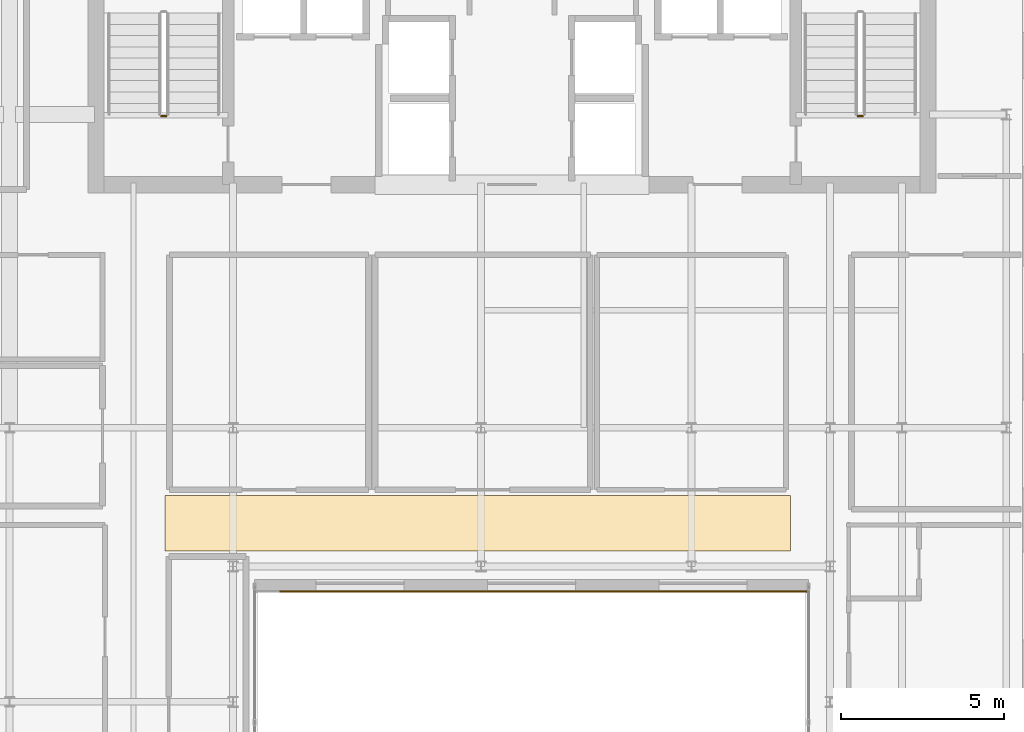
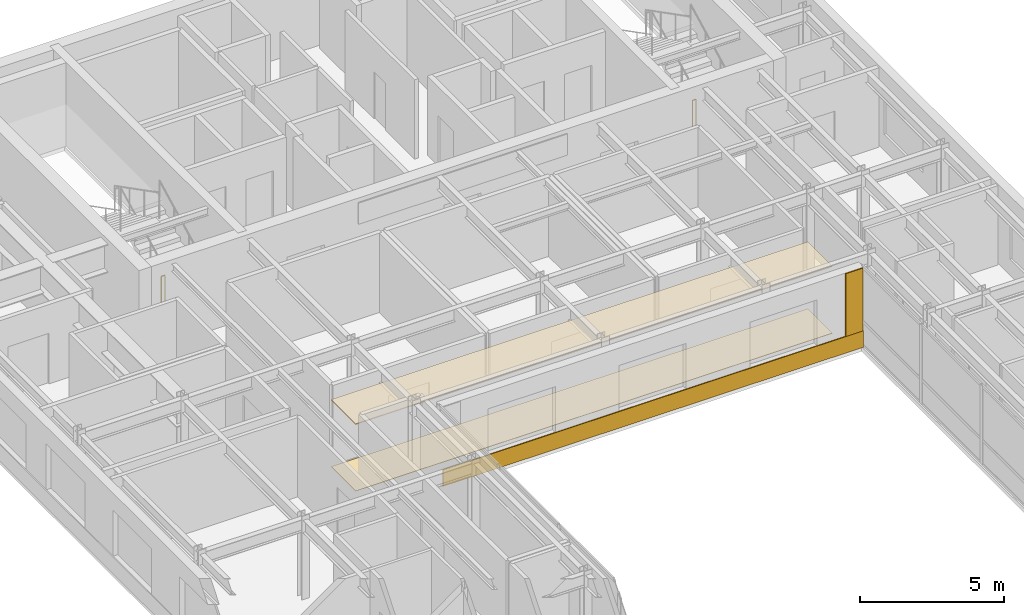
# One storey, part 19 of 21: 4 coverings, 2 railings.
"""IFC4 building model written with IfcOpenShell, lengths in metres."""

from ifc_helpers import new_model, si_unit, direction, frame, origin, origin_2d, place, context, subcontext, project, spatial, polyline, circle, outline, extrude, material, layer, layer_set, type_object, element, save


model = new_model("IFC4")

# Units and contexts
model_context = context("Model", 3, precision=1e-05, world=origin(), true_north=direction((0.0, 1.0)))
body_context = subcontext(model_context, "Body", "Model", "MODEL_VIEW")
ifc_project = project(units=[si_unit("LENGTHUNIT", "METRE"), si_unit("AREAUNIT", "SQUARE_METRE"), si_unit("VOLUMEUNIT", "CUBIC_METRE"), si_unit("PLANEANGLEUNIT", "RADIAN"), si_unit("MASSUNIT", "GRAM", prefix="KILO")], contexts=[model_context])

# Site, building, storey
site_placement = place(None, origin())
site = spatial("IfcSite", under=ifc_project, at=site_placement, CompositionType="ELEMENT")
building_placement = place(site_placement, origin())
building = spatial("IfcBuilding", under=site, at=building_placement, Name="Tolvann Quenvar Hotel", CompositionType="ELEMENT")
storey_placement = place(building_placement, frame((0.0, 0.0, 255.85009765625)))
storey = spatial("IfcBuildingStorey", under=building, at=storey_placement, Name="L68", CompositionType="ELEMENT", Elevation=255.85009765625)

# Coverings
ifc_material_1 = material(Name="Micro-perforated acoustic mineral-fibre and timber-batten suspended ceiling", Category="wood")
ifc_layer_1 = layer(ifc_material_1, 0.0400390625)
ifc_layer_set_1 = layer_set([ifc_layer_1], Name="Micro-perforated acoustic mineral-fibre and timber-batten suspended ceiling")
covering_type_1 = type_object("IfcCoveringType", Name="COV_CEIL_ACOUSTIC_40", PredefinedType="CEILING", material=ifc_layer_set_1)
covering_1_placement = place(storey_placement, frame((0.0, 0.0, 2.829833984375)))
element("IfcCovering", 1, at=covering_1_placement, inside=storey, type_object=covering_type_1, Name="Suspended Acoustic Ceiling (Wind Portal South Ring Gallery L68)", PredefinedType="CEILING", context=body_context, shape_type="SweptSolid", body=[
    extrude(outline(polyline([(12.3701171875, 20.6201171875), (31.530029296875, 20.6201171875), (31.530029296875, 22.330078125), (12.3701171875, 22.330078125), (12.3701171875, 20.6201171875)])), origin(), (0.0, 0.0, 1.0), 0.0400390625),
])
ifc_material_2 = material(Name="Kiln-fired red architectural face brick cladding", Category="masonry")
ifc_layer_2 = layer(ifc_material_2, 0.0400390625)
ifc_layer_set_2 = layer_set([ifc_layer_2], Name="Kiln-fired red architectural face brick cladding")
covering_type_2 = type_object("IfcCoveringType", Name="COV_CLAD_BRICK_40", PredefinedType="CLADDING", material=ifc_layer_set_2)
covering_2_placement = place(storey_placement, frame((0.0, 0.0, 0.699951171875)))
element("IfcCovering", 2, at=covering_2_placement, inside=storey, type_object=covering_type_2, Name="Brick Pier Cladding (L68-E06-P2)", PredefinedType="CLADDING", context=body_context, shape_type="SweptSolid", body=[
    extrude(outline(polyline([(31.340087890625, 19.39990234375), (32.0400390625, 19.39990234375), (32.0400390625, 19.360107421875), (31.340087890625, 19.360107421875), (31.340087890625, 19.39990234375)])), origin(), (0.0, 0.0, 1.0), 2.669921875),
])
ifc_material_3 = material(Name="Moulded buff architectural terracotta spandrel cladding", Category="masonry")
ifc_layer_3 = layer(ifc_material_3, 0.0400390625)
ifc_layer_set_3 = layer_set([ifc_layer_3], Name="Moulded buff architectural terracotta spandrel cladding")
covering_type_3 = type_object("IfcCoveringType", Name="COV_CLAD_TERRA_40", PredefinedType="CLADDING", material=ifc_layer_set_3)
covering_3_placement = place(storey_placement, origin())
element("IfcCovering", 3, at=covering_3_placement, inside=storey, type_object=covering_type_3, Name="Terracotta Spandrel Cladding (L68-E06)", PredefinedType="CLADDING", context=body_context, shape_type="SweptSolid", body=[
    extrude(outline(polyline([(15.14990234375, 19.39990234375), (32.050048828125, 19.39990234375), (32.050048828125, 19.360107421875), (15.14990234375, 19.360107421875), (15.14990234375, 19.39990234375)])), origin(), (0.0, 0.0, 1.0), 0.699951171875),
])
ifc_material_4 = material(Name="Honed Australian bluestone, terrazzo and engineered oak flooring", Category="masonry")
ifc_layer_4 = layer(ifc_material_4, 0.02001953125)
ifc_layer_set_4 = layer_set([ifc_layer_4], Name="Honed Australian bluestone, terrazzo and engineered oak flooring")
covering_type_4 = type_object("IfcCoveringType", Name="COV_FLOOR_STONE_20", PredefinedType="FLOORING", material=ifc_layer_set_4)
covering_4_placement = place(storey_placement, origin())
element("IfcCovering", 4, at=covering_4_placement, inside=storey, type_object=covering_type_4, Name="Architectural Floor Finish (Wind Portal South Ring Gallery L68)", PredefinedType="FLOORING", context=body_context, shape_type="SweptSolid", body=[
    extrude(outline(polyline([(12.3701171875, 20.6201171875), (31.530029296875, 20.6201171875), (31.530029296875, 22.330078125), (12.3701171875, 22.330078125), (12.3701171875, 20.6201171875)])), origin(), (0.0, 0.0, 1.0), 0.02001953125),
])

# Railings
ifc_material_5 = material(Name="Brushed 316 stainless steel balustrade and handrail", Category="steel")
railing_type = type_object("IfcRailingType", Name="GUARDRAIL", PredefinedType="GUARDRAIL", material=ifc_material_5)
for number, where, name in (
    (5, (12.39990234375, 33.949951171875, 0.0), "L68 ST-C1 stair guard 4"),
    (6, (33.75, 33.949951171875, 0.0), "L68 ST-C2 stair guard 4"),
):
    element("IfcRailing", number, at=place(storey_placement, frame(where)), inside=storey, type_object=railing_type, Name=name, PredefinedType="GUARDRAIL", context=body_context, shape_type="SweptSolid", body=[
        extrude(circle(Radius=0.02392578125, at=origin_2d()), frame((0.0, 0.0, 1.09619140625), z_axis=(-1.0, 0.0, 0.0), x_axis=(0.0, -1.0, 0.0)), (0.0, 0.0, 1.0), 0.14990234375),
        extrude(circle(Radius=0.02099609375, at=origin_2d()), origin(), (0.0, 0.0, 1.0), 1.072021484375),
        extrude(circle(Radius=0.02099609375, at=origin_2d()), frame((-0.14990234375, 0.0, 0.0)), (0.0, 0.0, 1.0), 1.072021484375),
    ])

save(model, "model.ifc")
